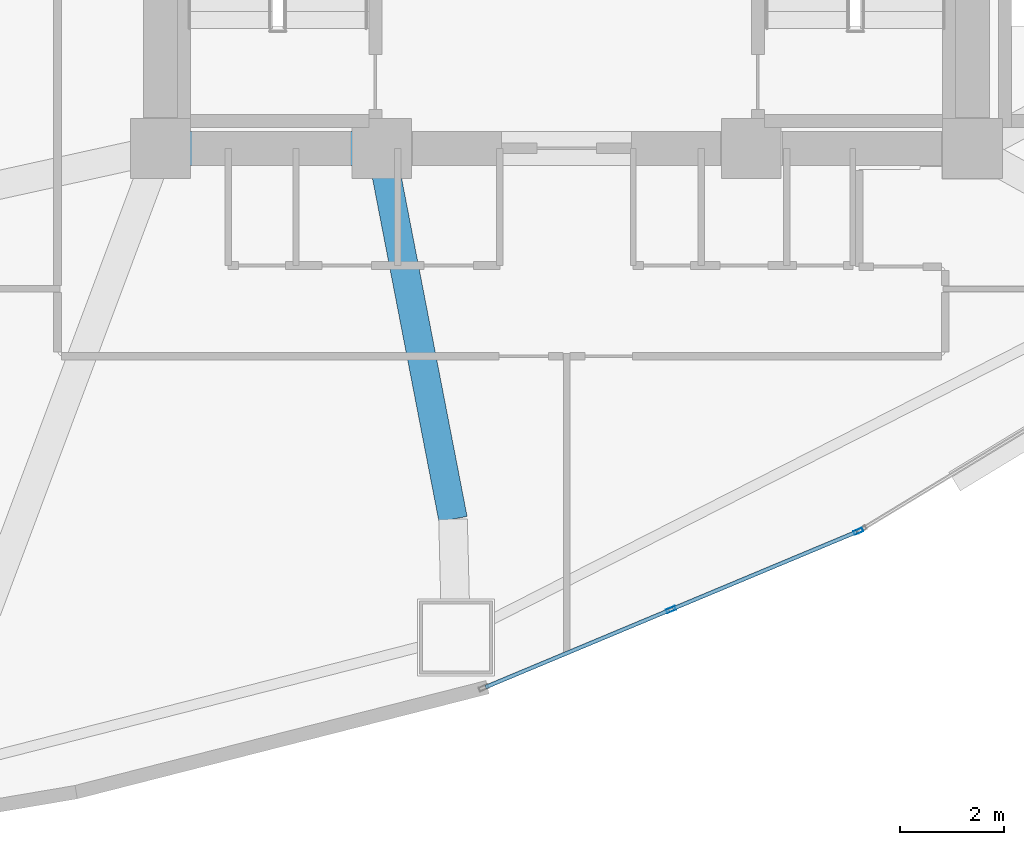
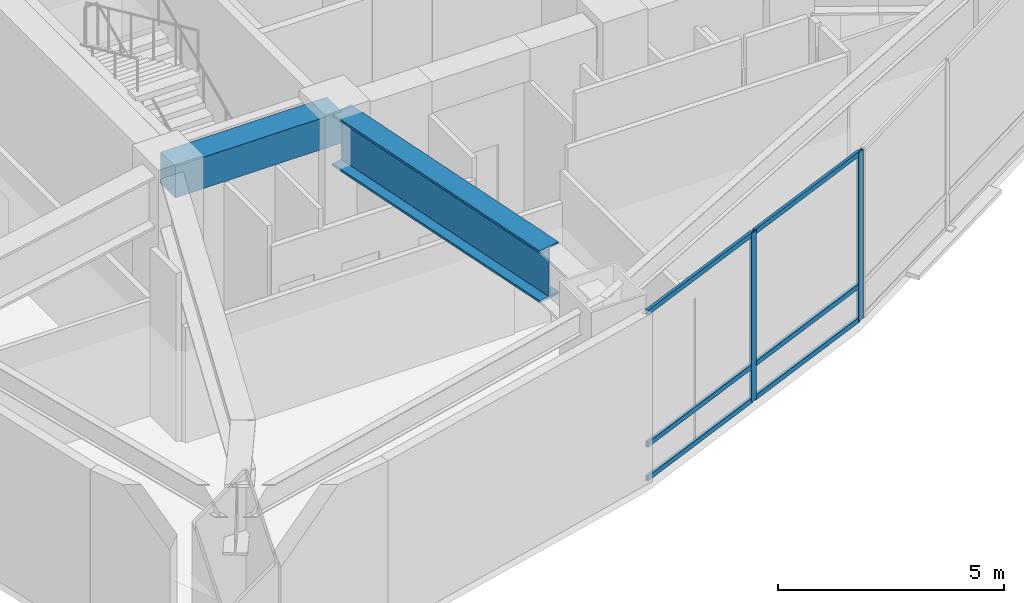
# One storey, part 4 of 19: 8 members, 2 beams, 1 element without a shape of its own.
"""IFC4 building model written with IfcOpenShell, lengths in metres."""

from ifc_helpers import new_model, si_unit, direction, frame, origin, origin_2d, place, context, subcontext, project, spatial, rectangle, hollow_rectangle, i_section, extrude, material, layer, layer_set, material_profile, profile_set, type_object, element, aggregate, save


model = new_model("IFC4")

# Units and contexts
model_context = context("Model", 3, precision=1e-05, world=origin(), true_north=direction((0.0, 1.0)))
body_context = subcontext(model_context, "Body", "Model", "MODEL_VIEW")
ifc_project = project(units=[si_unit("LENGTHUNIT", "METRE"), si_unit("AREAUNIT", "SQUARE_METRE"), si_unit("VOLUMEUNIT", "CUBIC_METRE"), si_unit("PLANEANGLEUNIT", "RADIAN"), si_unit("MASSUNIT", "GRAM", prefix="KILO")], contexts=[model_context])

# Site, building, storey
site_placement = place(None, origin())
site = spatial("IfcSite", under=ifc_project, at=site_placement, CompositionType="ELEMENT")
building_placement = place(site_placement, origin())
building = spatial("IfcBuilding", under=site, at=building_placement, Name="Menara Vayukalpa", CompositionType="ELEMENT")
storey_placement = place(building_placement, frame((0.0, 0.0, 22.800048828125)))
storey = spatial("IfcBuildingStorey", under=building, at=storey_placement, Name="L04", CompositionType="ELEMENT", Elevation=22.800048828125)

# Beams
ifc_material_1 = material(Name="Concrete C60/75", Category="concrete")
ifc_material_profile_1 = material_profile(ifc_material_1, rectangle(XDim=0.64990234375, YDim=0.85009765625, at=origin_2d()), Name="RC 650x850")
ifc_profile_set_1 = profile_set([ifc_material_profile_1], Name="Concrete C60/75")
beam_type_1 = type_object("IfcBeamType", Name="BM-CB1", PredefinedType="BEAM", material=ifc_profile_set_1)
beam_1_placement = place(storey_placement, frame((17.800048828125, 17.199951171875, 4.125), z_axis=(1.0, 0.0, 0.0), x_axis=(0.0, 1.0, 0.0)))
element("IfcBeam", 1, at=beam_1_placement, inside=storey, type_object=beam_type_1, Name="L04 Core Tie Beam CBR1", PredefinedType="BEAM", context=body_context, shape_type="SweptSolid", body=[
    extrude(rectangle(XDim=0.64990234375, YDim=0.85009765625, at=origin_2d()), origin(), (0.0, 0.0, 1.0), 4.25),
])
ifc_material_2 = material(Name="Steel S460", Category="steel")
ifc_material_profile_2 = material_profile(ifc_material_2, i_section(OverallWidth=0.550048828125, OverallDepth=1.39990234375, WebThickness=0.031982421875, FlangeThickness=0.06005859375, at=origin_2d()), Name="WG 1400x550x32x60")
ifc_profile_set_2 = profile_set([ifc_material_profile_2], Name="Steel S460")
beam_type_2 = type_object("IfcBeamType", Name="BM-TG1", PredefinedType="BEAM", material=ifc_profile_set_2)
beam_2_placement = place(storey_placement, frame((22.08740234375, 16.952880859375, 3.849853515625), z_axis=(0.190193159027, -0.981746689457, 0.0), x_axis=(0.981746689457, 0.190193159027, 0.0)))
element("IfcBeam", 2, at=beam_2_placement, inside=storey, type_object=beam_type_2, Name="L04 Radial Transfer Girder Inner 08", PredefinedType="BEAM", context=body_context, shape_type="SweptSolid", body=[
    extrude(i_section(OverallWidth=0.550048828125, OverallDepth=1.39990234375, WebThickness=0.031982421875, FlangeThickness=0.06005859375, at=origin_2d()), origin(), (0.0, 0.0, 1.0), 7.003662109375),
])

# Curtain wall, members
ifc_material_3 = material(Name="Anodised Terracotta Aluminium Alloy 6063-T6", Category="masonry")
ifc_layer = layer(ifc_material_3, 0.179931640625)
ifc_layer_set = layer_set([ifc_layer], Name="Anodised Terracotta Aluminium Alloy 6063-T6")
curtain_wall_type = type_object("IfcCurtainWallType", Name="CW-CW1", PredefinedType="USERDEFINED", material=ifc_layer_set)
curtain_wall_placement = place(storey_placement, origin())
curtain_wall = element("IfcCurtainWall", 3, at=curtain_wall_placement, inside=storey, type_object=curtain_wall_type, Name="L04 Podium Unitised Ribbon Curtain Wall CW1 16", ObjectType="UNITISED", PredefinedType="USERDEFINED")
ifc_material_4 = material(Name="Anodised Terracotta Aluminium Alloy 6063-T6", Category="masonry")
ifc_material_profile_3 = material_profile(ifc_material_4, hollow_rectangle(XDim=0.074951171875, YDim=0.179931640625, WallThickness=0.00390625, at=origin_2d()), Name="ALU 75x180x4")
ifc_profile_set_3 = profile_set([ifc_material_profile_3], Name="Anodised Terracotta Aluminium Alloy 6063-T6")
member_type_1 = type_object("IfcMemberType", Name="CWM-CW1", PredefinedType="MULLION", material=ifc_profile_set_3)
member_1_placement = place(storey_placement, frame((27.608154296875, 8.33984375, 0.0), z_axis=(0.0, 0.0, 1.0), x_axis=(-0.385890613077, 0.922544543499, 0.0)))
member_1 = element("IfcMember", 4, at=member_1_placement, type_object=member_type_1, Name="CW1 mullion 2", PredefinedType="MULLION", context=body_context, shape_type="SweptSolid", body=[
    extrude(hollow_rectangle(XDim=0.074951171875, YDim=0.179931640625, WallThickness=0.00390625, at=origin_2d()), origin(), (0.0, 0.0, 1.0), 4.550048828125),
])
member_2_placement = place(storey_placement, frame((31.206787109375, 9.844970703125, 0.0), z_axis=(0.0, 0.0, 1.0), x_axis=(-0.385890613077, 0.922544543499, 0.0)))
member_2 = element("IfcMember", 5, at=member_2_placement, type_object=member_type_1, Name="CW1 mullion 3", PredefinedType="MULLION", context=body_context, shape_type="SweptSolid", body=[
    extrude(hollow_rectangle(XDim=0.074951171875, YDim=0.179931640625, WallThickness=0.00390625, at=origin_2d()), origin(), (0.0, 0.0, 1.0), 4.550048828125),
])
ifc_material_5 = material(Name="Anodised Terracotta Aluminium Alloy 6063-T6", Category="masonry")
ifc_material_profile_4 = material_profile(ifc_material_5, hollow_rectangle(XDim=0.074951171875, YDim=0.135009765625, WallThickness=0.00390625, at=origin_2d()), Name="ALU 75x135x4")
ifc_profile_set_4 = profile_set([ifc_material_profile_4], Name="Anodised Terracotta Aluminium Alloy 6063-T6")
member_type_2 = type_object("IfcMemberType", Name="CWT-CW1", PredefinedType="USERDEFINED", material=ifc_profile_set_4)
member_3_placement = place(storey_placement, frame((24.0439453125, 6.848876953125, 0.037353515625), z_axis=(0.922549314237, 0.385879207525, 0.0), x_axis=(-0.385879207525, 0.922549314237, 0.0)))
member_3 = element("IfcMember", 6, at=member_3_placement, type_object=member_type_2, Name="CW1 transom 1.1", ObjectType="TRANSOM", PredefinedType="USERDEFINED", context=body_context, shape_type="SweptSolid", body=[
    extrude(hollow_rectangle(XDim=0.074951171875, YDim=0.135009765625, WallThickness=0.00390625, at=origin_2d()), origin(), (0.0, 0.0, 1.0), 3.825927734375),
])
member_4_placement = place(storey_placement, frame((24.0439453125, 6.848876953125, 0.949951171875), z_axis=(0.922549314237, 0.385879207525, 0.0), x_axis=(-0.385879207525, 0.922549314237, 0.0)))
member_4 = element("IfcMember", 7, at=member_4_placement, type_object=member_type_2, Name="CW1 transom 1.2", ObjectType="TRANSOM", PredefinedType="USERDEFINED", context=body_context, shape_type="SweptSolid", body=[
    extrude(hollow_rectangle(XDim=0.074951171875, YDim=0.135009765625, WallThickness=0.00390625, at=origin_2d()), origin(), (0.0, 0.0, 1.0), 3.825927734375),
])
member_5_placement = place(storey_placement, frame((24.0439453125, 6.848876953125, 4.512451171875), z_axis=(0.922549314237, 0.385879207525, 0.0), x_axis=(-0.385879207525, 0.922549314237, 0.0)))
member_5 = element("IfcMember", 8, at=member_5_placement, type_object=member_type_2, Name="CW1 transom 1.3", ObjectType="TRANSOM", PredefinedType="USERDEFINED", context=body_context, shape_type="SweptSolid", body=[
    extrude(hollow_rectangle(XDim=0.074951171875, YDim=0.135009765625, WallThickness=0.00390625, at=origin_2d()), origin(), (0.0, 0.0, 1.0), 3.825927734375),
])
member_6_placement = place(storey_placement, frame((27.642578125, 8.354248046875, 0.037353515625), z_axis=(0.922549314237, 0.385879207525, 0.0), x_axis=(-0.385879207525, 0.922549314237, 0.0)))
member_6 = element("IfcMember", 9, at=member_6_placement, type_object=member_type_2, Name="CW1 transom 2.1", ObjectType="TRANSOM", PredefinedType="USERDEFINED", context=body_context, shape_type="SweptSolid", body=[
    extrude(hollow_rectangle(XDim=0.074951171875, YDim=0.135009765625, WallThickness=0.00390625, at=origin_2d()), origin(), (0.0, 0.0, 1.0), 3.825927734375),
])
member_7_placement = place(storey_placement, frame((27.642578125, 8.354248046875, 0.949951171875), z_axis=(0.922549314237, 0.385879207525, 0.0), x_axis=(-0.385879207525, 0.922549314237, 0.0)))
member_7 = element("IfcMember", 10, at=member_7_placement, type_object=member_type_2, Name="CW1 transom 2.2", ObjectType="TRANSOM", PredefinedType="USERDEFINED", context=body_context, shape_type="SweptSolid", body=[
    extrude(hollow_rectangle(XDim=0.074951171875, YDim=0.135009765625, WallThickness=0.00390625, at=origin_2d()), origin(), (0.0, 0.0, 1.0), 3.825927734375),
])
member_8_placement = place(storey_placement, frame((27.642578125, 8.354248046875, 4.512451171875), z_axis=(0.922549314237, 0.385879207525, 0.0), x_axis=(-0.385879207525, 0.922549314237, 0.0)))
member_8 = element("IfcMember", 11, at=member_8_placement, type_object=member_type_2, Name="CW1 transom 2.3", ObjectType="TRANSOM", PredefinedType="USERDEFINED", context=body_context, shape_type="SweptSolid", body=[
    extrude(hollow_rectangle(XDim=0.074951171875, YDim=0.135009765625, WallThickness=0.00390625, at=origin_2d()), origin(), (0.0, 0.0, 1.0), 3.825927734375),
])
aggregate(curtain_wall, [member_1, member_2, member_3, member_4, member_5, member_6, member_7, member_8])

save(model, "model.ifc")
